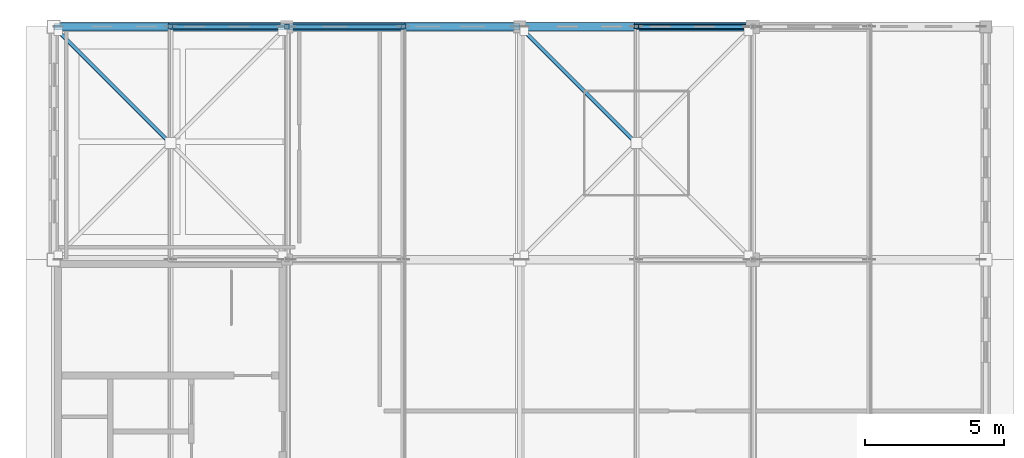
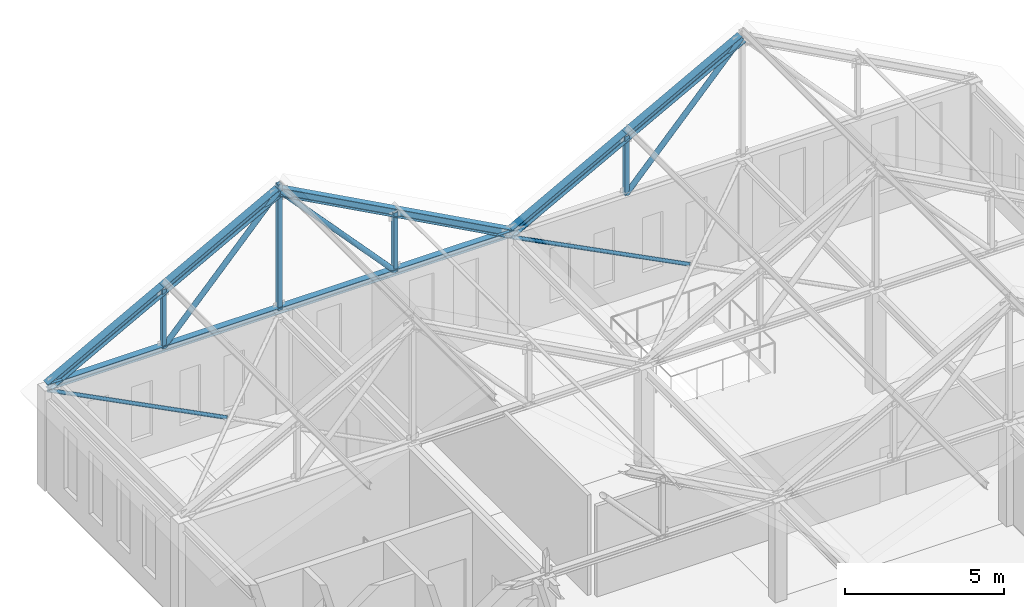
# One storey, part 14 of 36: 16 members.
"""IFC4 building model written with IfcOpenShell, lengths in metres."""

from ifc_helpers import new_model, si_unit, direction, frame, origin, origin_2d, place, context, subcontext, project, spatial, hollow_rectangle, hollow_circle, i_section, extrude, material, material_profile, profile_set, type_object, element, save


model = new_model("IFC4")

# Units and contexts
model_context = context("Model", 3, precision=1e-05, world=origin(), true_north=direction((0.0, 1.0)))
body_context = subcontext(model_context, "Body", "Model", "MODEL_VIEW")
ifc_project = project(units=[si_unit("LENGTHUNIT", "METRE"), si_unit("AREAUNIT", "SQUARE_METRE"), si_unit("VOLUMEUNIT", "CUBIC_METRE"), si_unit("PLANEANGLEUNIT", "RADIAN"), si_unit("MASSUNIT", "GRAM", prefix="KILO")], contexts=[model_context])

# Site, building, storey
site_placement = place(None, origin())
site = spatial("IfcSite", under=ifc_project, at=site_placement, CompositionType="ELEMENT")
building_placement = place(site_placement, origin())
building = spatial("IfcBuilding", under=site, at=building_placement, Name="Kveldsbrygga Polytechnic", CompositionType="ELEMENT")
storey_placement = place(building_placement, frame((0.0, 0.0, 26.179931640625)))
storey = spatial("IfcBuildingStorey", under=building, at=storey_placement, Name="L06", CompositionType="ELEMENT", Elevation=26.179931640625)

# Members
ifc_material = material(Name="Steel S355", Category="steel")
ifc_material_profile_1 = material_profile(ifc_material, hollow_circle(Radius=0.06982421875, WallThickness=0.008056640625, at=origin_2d()), Name="CHS 139.7x8.0")
ifc_profile_set_1 = profile_set([ifc_material_profile_1], Name="Steel S355")
member_type_1 = type_object("IfcMemberType", Name="BR-ROOF-CHS140", PredefinedType="BRACE", material=ifc_profile_set_1)
member_1_placement = place(storey_placement, frame((126.0, 100.800048828125, 3.670166015625), z_axis=(0.707106781187, -0.707106781187, 0.0), x_axis=(0.707106781187, 0.707106781187, 0.0)))
element("IfcMember", 1, at=member_1_placement, inside=storey, type_object=member_type_1, Name="Attic Eaves Split Wind Brace RBR-L06-15-11-B1", PredefinedType="BRACE", context=body_context, shape_type="SweptSolid", body=[
    extrude(hollow_circle(Radius=0.06982421875, WallThickness=0.008056640625, at=origin_2d()), origin(), (0.0, 0.0, 1.0), 5.849853515625),
])
member_2_placement = place(storey_placement, frame((142.800048828125, 100.800048828125, 3.670166015625), z_axis=(0.707085913038, -0.707127648719, 0.0), x_axis=(0.707127648719, 0.707085913038, 0.0)))
element("IfcMember", 2, at=member_2_placement, inside=storey, type_object=member_type_1, Name="Attic Eaves Split Wind Brace RBR-L06-17-11-B1", PredefinedType="BRACE", context=body_context, shape_type="SweptSolid", body=[
    extrude(hollow_circle(Radius=0.06982421875, WallThickness=0.008056640625, at=origin_2d()), origin(), (0.0, 0.0, 1.0), 5.849609375),
])
ifc_material_profile_2 = material_profile(ifc_material, i_section(OverallWidth=0.239990234375, OverallDepth=0.22998046875, WebThickness=0.007568359375, FlangeThickness=0.011962890625, FilletRadius=0.02099609375, at=origin_2d()), Name="HEA 240")
ifc_profile_set_2 = profile_set([ifc_material_profile_2], Name="Steel S355")
member_type_2 = type_object("IfcMemberType", Name="TR-BOT-HEA240", PredefinedType="CHORD", material=ifc_profile_set_2)
member_3_placement = place(storey_placement, frame((126.0, 100.800048828125, 3.840087890625), z_axis=(1.0, 0.0, 0.0), x_axis=(0.0, 1.0, 0.0)))
element("IfcMember", 3, at=member_3_placement, inside=storey, type_object=member_type_2, Name="Truss Bottom Chord V4M1-T11-BC-1", PredefinedType="CHORD", context=body_context, shape_type="SweptSolid", body=[
    extrude(i_section(OverallWidth=0.239990234375, OverallDepth=0.22998046875, WebThickness=0.007568359375, FlangeThickness=0.011962890625, FilletRadius=0.02099609375, at=origin_2d()), origin(), (0.0, 0.0, 1.0), 16.800048828125),
])
ifc_material_profile_3 = material_profile(ifc_material, hollow_circle(Radius=0.096923828125, WallThickness=0.010009765625, at=origin_2d()), Name="CHS 193.7x10.0")
ifc_profile_set_3 = profile_set([ifc_material_profile_3], Name="Steel S355")
member_type_3 = type_object("IfcMemberType", Name="TR-DIAG-CHS194", PredefinedType="BRACE", material=ifc_profile_set_3)
member_4_placement = place(storey_placement, frame((130.199951171875, 100.800048828125, 3.840087890625), z_axis=(0.678271914864, 0.0, 0.734811002576), x_axis=(0.0, 1.0, 0.0)))
element("IfcMember", 4, at=member_4_placement, inside=storey, type_object=member_type_3, Name="Truss Diagonal V4M1-T11-DG-2", PredefinedType="BRACE", context=body_context, shape_type="SweptSolid", body=[
    extrude(hollow_circle(Radius=0.096923828125, WallThickness=0.010009765625, at=origin_2d()), origin(), (0.0, 0.0, 1.0), 6.192138671875),
])
member_5_placement = place(storey_placement, frame((134.39990234375, 100.800048828125, 8.39013671875), z_axis=(0.678293202798, 0.0, -0.734791352043), x_axis=(0.0, 1.0, 0.0)))
element("IfcMember", 5, at=member_5_placement, inside=storey, type_object=member_type_3, Name="Truss Diagonal V4M1-T11-DG-3", PredefinedType="BRACE", context=body_context, shape_type="SweptSolid", body=[
    extrude(hollow_circle(Radius=0.096923828125, WallThickness=0.010009765625, at=origin_2d()), origin(), (0.0, 0.0, 1.0), 6.1923828125),
])
member_6_placement = place(storey_placement, frame((147.0, 100.800048828125, 3.840087890625), z_axis=(0.678271914864, 0.0, 0.734811002576), x_axis=(0.0, 1.0, 0.0)))
element("IfcMember", 6, at=member_6_placement, inside=storey, type_object=member_type_3, Name="Truss Diagonal V4M2-T11-DG-2", PredefinedType="BRACE", context=body_context, shape_type="SweptSolid", body=[
    extrude(hollow_circle(Radius=0.096923828125, WallThickness=0.010009765625, at=origin_2d()), origin(), (0.0, 0.0, 1.0), 6.192138671875),
])
ifc_material_profile_4 = material_profile(ifc_material, hollow_rectangle(XDim=0.159912109375, YDim=0.159912109375, WallThickness=0.010009765625, at=origin_2d()), Name="SHS 160x160x10.0")
ifc_profile_set_4 = profile_set([ifc_material_profile_4], Name="Steel S355")
member_type_4 = type_object("IfcMemberType", Name="TR-POST-SHS160", PredefinedType="STRUT", material=ifc_profile_set_4)
member_7_placement = place(storey_placement, frame((130.199951171875, 100.800048828125, 3.840087890625), z_axis=(0.0, 0.0, 1.0), x_axis=(1.0, 0.0, 0.0)))
element("IfcMember", 7, at=member_7_placement, inside=storey, type_object=member_type_4, Name="Truss Vertical V4M1-T11-VT-1", PredefinedType="STRUT", context=body_context, shape_type="SweptSolid", body=[
    extrude(hollow_rectangle(XDim=0.159912109375, YDim=0.159912109375, WallThickness=0.010009765625, at=origin_2d()), origin(), (0.0, 0.0, 1.0), 2.27490234375),
])
member_8_placement = place(storey_placement, frame((134.39990234375, 100.800048828125, 3.840087890625), z_axis=(0.0, 0.0, 1.0), x_axis=(1.0, 0.0, 0.0)))
element("IfcMember", 8, at=member_8_placement, inside=storey, type_object=member_type_4, Name="Truss Vertical V4M1-T11-VT-2", PredefinedType="STRUT", context=body_context, shape_type="SweptSolid", body=[
    extrude(hollow_rectangle(XDim=0.159912109375, YDim=0.159912109375, WallThickness=0.010009765625, at=origin_2d()), origin(), (0.0, 0.0, 1.0), 4.82861328125),
])
for number, where, z_axis, x_axis, name in (
    (9, (138.60009765625, 100.800048828125, 3.840087890625), (0.0, 0.0, 1.0), (1.0, 0.0, 0.0), "Truss Vertical V4M1-T11-VT-3"),
    (10, (147.0, 100.800048828125, 3.840087890625), (0.0, 0.0, 1.0), (1.0, 0.0, 0.0), "Truss Vertical V4M2-T11-VT-1"),
):
    element("IfcMember", number, at=place(storey_placement, frame(where, z_axis=z_axis, x_axis=x_axis)), inside=storey, type_object=member_type_4, Name=name, PredefinedType="STRUT", context=body_context, shape_type="SweptSolid", body=[
        extrude(hollow_rectangle(XDim=0.159912109375, YDim=0.159912109375, WallThickness=0.010009765625, at=origin_2d()), origin(), (0.0, 0.0, 1.0), 2.27490234375),
    ])
ifc_material_profile_5 = material_profile(ifc_material, i_section(OverallWidth=0.300048828125, OverallDepth=0.2900390625, WebThickness=0.008544921875, FlangeThickness=0.013916015625, FilletRadius=0.027099609375, at=origin_2d()), Name="HEA 300")
ifc_profile_set_5 = profile_set([ifc_material_profile_5], Name="Steel S355")
member_type_5 = type_object("IfcMemberType", Name="TR-TOP-HEA300", PredefinedType="CHORD", material=ifc_profile_set_5)
member_9_placement = place(storey_placement, frame((126.0, 100.800048828125, 3.840087890625), z_axis=(0.879298209803, 0.0, 0.47627162233), x_axis=(0.0, 1.0, 0.0)))
element("IfcMember", 11, at=member_9_placement, inside=storey, type_object=member_type_5, Name="Truss Top Chord V4M1-T11-TC-1", PredefinedType="CHORD", context=body_context, shape_type="SweptSolid", body=[
    extrude(i_section(OverallWidth=0.300048828125, OverallDepth=0.2900390625, WebThickness=0.008544921875, FlangeThickness=0.013916015625, FilletRadius=0.027099609375, at=origin_2d()), origin(), (0.0, 0.0, 1.0), 4.7763671875),
])
member_10_placement = place(storey_placement, frame((130.199951171875, 100.800048828125, 6.114990234375), z_axis=(0.879276804059, 0.0, 0.476311139744), x_axis=(0.0, 1.0, 0.0)))
element("IfcMember", 12, at=member_10_placement, inside=storey, type_object=member_type_5, Name="Truss Top Chord V4M1-T11-TC-2", PredefinedType="CHORD", context=body_context, shape_type="SweptSolid", body=[
    extrude(i_section(OverallWidth=0.300048828125, OverallDepth=0.2900390625, WebThickness=0.008544921875, FlangeThickness=0.013916015625, FilletRadius=0.027099609375, at=origin_2d()), origin(), (0.0, 0.0, 1.0), 4.776611328125),
])
member_11_placement = place(storey_placement, frame((134.39990234375, 100.800048828125, 8.39013671875), z_axis=(0.879288399135, 0.0, -0.476289734454), x_axis=(0.0, 1.0, 0.0)))
element("IfcMember", 13, at=member_11_placement, inside=storey, type_object=member_type_5, Name="Truss Top Chord V4M1-T11-TC-3", PredefinedType="CHORD", context=body_context, shape_type="SweptSolid", body=[
    extrude(i_section(OverallWidth=0.300048828125, OverallDepth=0.2900390625, WebThickness=0.008544921875, FlangeThickness=0.013916015625, FilletRadius=0.027099609375, at=origin_2d()), origin(), (0.0, 0.0, 1.0), 4.77685546875),
])
for number, where, z_axis, x_axis, name in (
    (14, (138.60009765625, 100.800048828125, 6.114990234375), (0.879298209803, 0.0, -0.47627162233), (0.0, 1.0, 0.0), "Truss Top Chord V4M1-T11-TC-4"),
    (15, (142.800048828125, 100.800048828125, 3.840087890625), (0.879298209803, 0.0, 0.47627162233), (0.0, 1.0, 0.0), "Truss Top Chord V4M2-T11-TC-1"),
):
    element("IfcMember", number, at=place(storey_placement, frame(where, z_axis=z_axis, x_axis=x_axis)), inside=storey, type_object=member_type_5, Name=name, PredefinedType="CHORD", context=body_context, shape_type="SweptSolid", body=[
        extrude(i_section(OverallWidth=0.300048828125, OverallDepth=0.2900390625, WebThickness=0.008544921875, FlangeThickness=0.013916015625, FilletRadius=0.027099609375, at=origin_2d()), origin(), (0.0, 0.0, 1.0), 4.7763671875),
    ])
member_12_placement = place(storey_placement, frame((147.0, 100.800048828125, 6.114990234375), z_axis=(0.879276804059, 0.0, 0.476311139744), x_axis=(0.0, 1.0, 0.0)))
element("IfcMember", 16, at=member_12_placement, inside=storey, type_object=member_type_5, Name="Truss Top Chord V4M2-T11-TC-2", PredefinedType="CHORD", context=body_context, shape_type="SweptSolid", body=[
    extrude(i_section(OverallWidth=0.300048828125, OverallDepth=0.2900390625, WebThickness=0.008544921875, FlangeThickness=0.013916015625, FilletRadius=0.027099609375, at=origin_2d()), origin(), (0.0, 0.0, 1.0), 4.776611328125),
])

save(model, "model.ifc")
